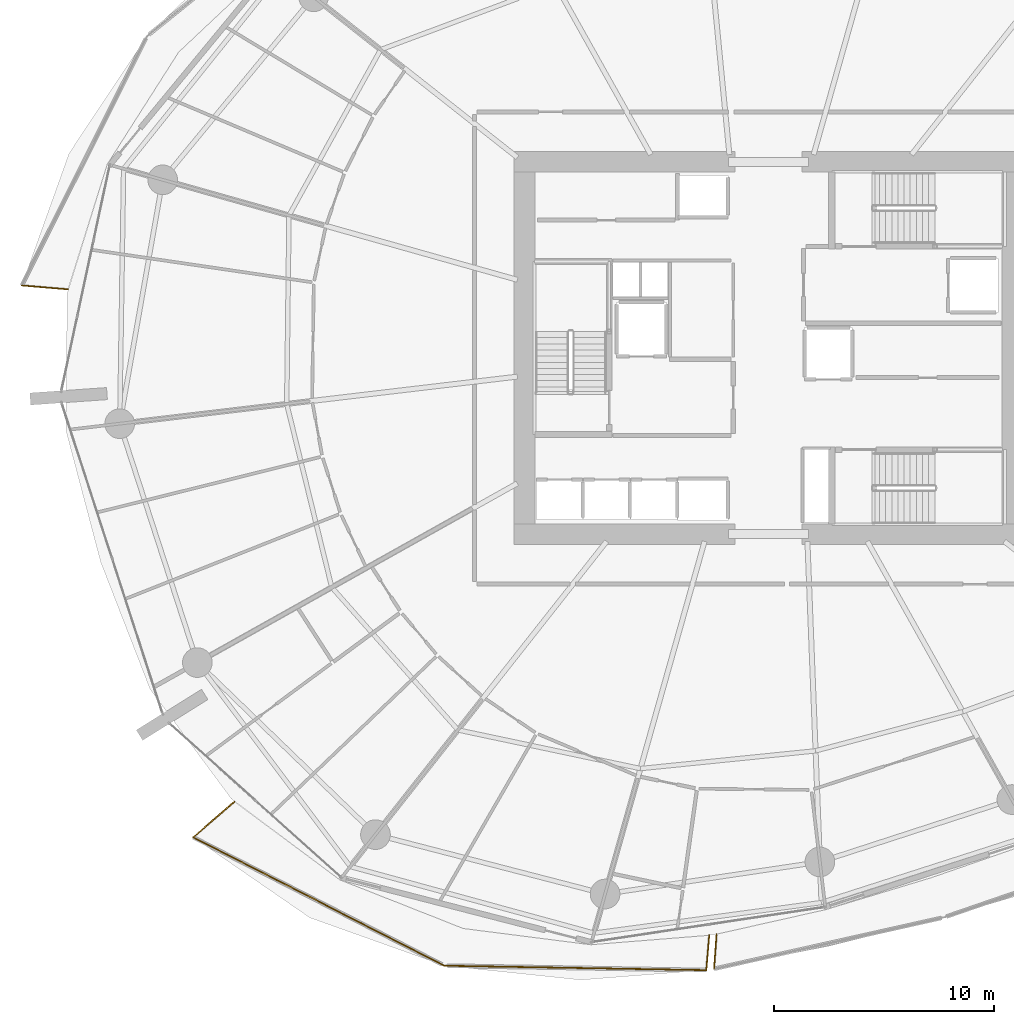
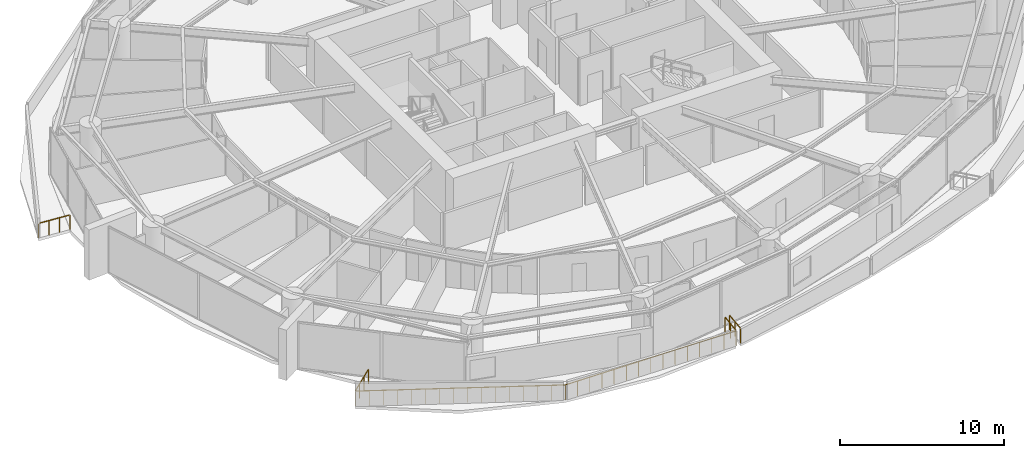
# One storey, part 25 of 31: 6 railings.
"""IFC4 building model written with IfcOpenShell, lengths in metres."""

from ifc_helpers import new_model, si_unit, direction, frame, origin, origin_2d, place, context, subcontext, project, spatial, rectangle, extrude, material, type_object, element, save


model = new_model("IFC4")

# Units and contexts
model_context = context("Model", 3, precision=1e-05, world=origin(), true_north=direction((0.0, 1.0)))
body_context = subcontext(model_context, "Body", "Model", "MODEL_VIEW")
ifc_project = project(units=[si_unit("LENGTHUNIT", "METRE"), si_unit("AREAUNIT", "SQUARE_METRE"), si_unit("VOLUMEUNIT", "CUBIC_METRE"), si_unit("PLANEANGLEUNIT", "RADIAN"), si_unit("MASSUNIT", "GRAM", prefix="KILO")], contexts=[model_context])

# Site, building, storey
site_placement = place(None, origin())
site = spatial("IfcSite", under=ifc_project, at=site_placement, CompositionType="ELEMENT")
building_placement = place(site_placement, origin())
building = spatial("IfcBuilding", under=site, at=building_placement, Name="Kazma Halo Residences", CompositionType="ELEMENT")
storey_placement = place(building_placement, frame((0.0, 0.0, 33.89990234375)))
storey = spatial("IfcBuildingStorey", under=building, at=storey_placement, Name="L07", CompositionType="ELEMENT", Elevation=33.89990234375)

# Railings
ifc_material = material(Name="Aluminium AW-6063 T6 Brushed Cap Rail", Category="aluminium")
railing_type = type_object("IfcRailingType", Name="RLG-BAL-CAP-1120", PredefinedType="BALUSTRADE", material=ifc_material)
railing_1_placement = place(storey_placement, frame((14.444580078125, 44.84716796875, 0.0)))
element("IfcRailing", 1, at=railing_1_placement, inside=storey, type_object=railing_type, Name="L07 NW wave balcony guard 4", PredefinedType="BALUSTRADE", context=body_context, shape_type="SweptSolid", body=[
    extrude(rectangle(XDim=0.050048828125, YDim=0.050048828125, at=origin_2d()), frame((0.04248046875, -0.003662109375, 1.09521484375), z_axis=(0.996424347806, -0.084489757365, 0.0), x_axis=(0.084489757365, 0.996424347806, 0.0)), (0.0, 0.0, 1.0), 2.027099609375),
    extrude(rectangle(XDim=0.0400390625, YDim=0.0400390625, at=origin_2d()), origin(), (0.0, 0.0, 1.0), 1.05810546875),
    extrude(rectangle(XDim=0.0400390625, YDim=0.0400390625, at=origin_2d()), frame((0.70166015625, -0.0595703125, 0.0)), (0.0, 0.0, 1.0), 1.05810546875),
    extrude(rectangle(XDim=0.0400390625, YDim=0.0400390625, at=origin_2d()), frame((1.403076171875, -0.118896484375, 0.0)), (0.0, 0.0, 1.0), 1.05810546875),
    extrude(rectangle(XDim=0.0400390625, YDim=0.0400390625, at=origin_2d()), frame((2.104736328125, -0.178466796875, 0.0)), (0.0, 0.0, 1.0), 1.05810546875),
])
railing_2_placement = place(storey_placement, frame((24.124267578125, 21.354736328125, 0.0)))
element("IfcRailing", 2, at=railing_2_placement, inside=storey, type_object=railing_type, Name="L07 SW wave balcony guard 1", PredefinedType="BALUSTRADE", context=body_context, shape_type="SweptSolid", body=[
    extrude(rectangle(XDim=0.050048828125, YDim=0.050048828125, at=origin_2d()), frame((-0.0322265625, -0.02783203125, 1.09521484375), z_axis=(-0.756389471098, -0.654121523887, 0.0), x_axis=(0.654121523887, -0.756389471098, 0.0)), (0.0, 0.0, 1.0), 2.397705078125),
    extrude(rectangle(XDim=0.0400390625, YDim=0.0400390625, at=origin_2d()), origin(), (0.0, 0.0, 1.0), 1.05810546875),
    extrude(rectangle(XDim=0.0400390625, YDim=0.0400390625, at=origin_2d()), frame((-0.6259765625, -0.541259765625, 0.0)), (0.0, 0.0, 1.0), 1.05810546875),
    extrude(rectangle(XDim=0.0400390625, YDim=0.0400390625, at=origin_2d()), frame((-1.251953125, -1.082763671875, 0.0)), (0.0, 0.0, 1.0), 1.05810546875),
    extrude(rectangle(XDim=0.0400390625, YDim=0.0400390625, at=origin_2d()), frame((-1.8779296875, -1.6240234375, 0.0)), (0.0, 0.0, 1.0), 1.05810546875),
])
railing_3_placement = place(storey_placement, frame((22.246337890625, 19.730712890625, 0.0)))
element("IfcRailing", 3, at=railing_3_placement, inside=storey, type_object=railing_type, Name="L07 SW wave balcony guard 2", PredefinedType="BALUSTRADE", context=body_context, shape_type="SweptSolid", body=[
    extrude(rectangle(XDim=0.050048828125, YDim=0.050048828125, at=origin_2d()), frame((0.037841796875, -0.019287109375, 1.09521484375), z_axis=(0.890397512329, -0.455183776114, 0.0), x_axis=(0.455183776114, 0.890397512329, 0.0)), (0.0, 0.0, 1.0), 12.75146484375),
    extrude(rectangle(XDim=0.0400390625, YDim=0.0400390625, at=origin_2d()), origin(), (0.0, 0.0, 1.0), 1.05810546875),
    extrude(rectangle(XDim=0.0400390625, YDim=0.0400390625, at=origin_2d()), frame((0.761962890625, -0.3896484375, 0.0)), (0.0, 0.0, 1.0), 1.05810546875),
    extrude(rectangle(XDim=0.0400390625, YDim=0.0400390625, at=origin_2d()), frame((1.52392578125, -0.779052734375, 0.0)), (0.0, 0.0, 1.0), 1.05810546875),
    extrude(rectangle(XDim=0.0400390625, YDim=0.0400390625, at=origin_2d()), frame((2.285888671875, -1.168701171875, 0.0)), (0.0, 0.0, 1.0), 1.05810546875),
    extrude(rectangle(XDim=0.0400390625, YDim=0.0400390625, at=origin_2d()), frame((3.0478515625, -1.55810546875, 0.0)), (0.0, 0.0, 1.0), 1.05810546875),
    extrude(rectangle(XDim=0.0400390625, YDim=0.0400390625, at=origin_2d()), frame((3.809814453125, -1.94775390625, 0.0)), (0.0, 0.0, 1.0), 1.05810546875),
    extrude(rectangle(XDim=0.0400390625, YDim=0.0400390625, at=origin_2d()), frame((4.57177734375, -2.337158203125, 0.0)), (0.0, 0.0, 1.0), 1.05810546875),
    extrude(rectangle(XDim=0.0400390625, YDim=0.0400390625, at=origin_2d()), frame((5.333740234375, -2.726806640625, 0.0)), (0.0, 0.0, 1.0), 1.05810546875),
    extrude(rectangle(XDim=0.0400390625, YDim=0.0400390625, at=origin_2d()), frame((6.095947265625, -3.1162109375, 0.0)), (0.0, 0.0, 1.0), 1.05810546875),
    extrude(rectangle(XDim=0.0400390625, YDim=0.0400390625, at=origin_2d()), frame((6.85791015625, -3.505859375, 0.0)), (0.0, 0.0, 1.0), 1.05810546875),
    extrude(rectangle(XDim=0.0400390625, YDim=0.0400390625, at=origin_2d()), frame((7.619873046875, -3.895263671875, 0.0)), (0.0, 0.0, 1.0), 1.05810546875),
    extrude(rectangle(XDim=0.0400390625, YDim=0.0400390625, at=origin_2d()), frame((8.3818359375, -4.284912109375, 0.0)), (0.0, 0.0, 1.0), 1.05810546875),
    extrude(rectangle(XDim=0.0400390625, YDim=0.0400390625, at=origin_2d()), frame((9.143798828125, -4.67431640625, 0.0)), (0.0, 0.0, 1.0), 1.05810546875),
    extrude(rectangle(XDim=0.0400390625, YDim=0.0400390625, at=origin_2d()), frame((9.90576171875, -5.06396484375, 0.0)), (0.0, 0.0, 1.0), 1.05810546875),
    extrude(rectangle(XDim=0.0400390625, YDim=0.0400390625, at=origin_2d()), frame((10.667724609375, -5.453369140625, 0.0)), (0.0, 0.0, 1.0), 1.05810546875),
    extrude(rectangle(XDim=0.0400390625, YDim=0.0400390625, at=origin_2d()), frame((11.4296875, -5.843017578125, 0.0)), (0.0, 0.0, 1.0), 1.05810546875),
])
railing_4_placement = place(storey_placement, frame((33.676025390625, 13.8876953125, 0.0)))
element("IfcRailing", 4, at=railing_4_placement, inside=storey, type_object=railing_type, Name="L07 SW wave balcony guard 3", PredefinedType="BALUSTRADE", context=body_context, shape_type="SweptSolid", body=[
    extrude(rectangle(XDim=0.050048828125, YDim=0.050048828125, at=origin_2d()), frame((0.04248046875, -0.000732421875, 1.09521484375), z_axis=(0.99985591733, -0.016974821943, 0.0), x_axis=(0.016974821943, 0.99985591733, 0.0)), (0.0, 0.0, 1.0), 11.838134765625),
    extrude(rectangle(XDim=0.0400390625, YDim=0.0400390625, at=origin_2d()), origin(), (0.0, 0.0, 1.0), 1.05810546875),
    extrude(rectangle(XDim=0.0400390625, YDim=0.0400390625, at=origin_2d()), frame((0.8515625, -0.014404296875, 0.0)), (0.0, 0.0, 1.0), 1.05810546875),
    extrude(rectangle(XDim=0.0400390625, YDim=0.0400390625, at=origin_2d()), frame((1.703125, -0.02880859375, 0.0)), (0.0, 0.0, 1.0), 1.05810546875),
    extrude(rectangle(XDim=0.0400390625, YDim=0.0400390625, at=origin_2d()), frame((2.5546875, -0.04345703125, 0.0)), (0.0, 0.0, 1.0), 1.05810546875),
    extrude(rectangle(XDim=0.0400390625, YDim=0.0400390625, at=origin_2d()), frame((3.406005859375, -0.057861328125, 0.0)), (0.0, 0.0, 1.0), 1.05810546875),
    extrude(rectangle(XDim=0.0400390625, YDim=0.0400390625, at=origin_2d()), frame((4.257568359375, -0.072265625, 0.0)), (0.0, 0.0, 1.0), 1.05810546875),
    extrude(rectangle(XDim=0.0400390625, YDim=0.0400390625, at=origin_2d()), frame((5.109130859375, -0.086669921875, 0.0)), (0.0, 0.0, 1.0), 1.05810546875),
    extrude(rectangle(XDim=0.0400390625, YDim=0.0400390625, at=origin_2d()), frame((5.960693359375, -0.10107421875, 0.0)), (0.0, 0.0, 1.0), 1.05810546875),
    extrude(rectangle(XDim=0.0400390625, YDim=0.0400390625, at=origin_2d()), frame((6.812255859375, -0.11572265625, 0.0)), (0.0, 0.0, 1.0), 1.05810546875),
    extrude(rectangle(XDim=0.0400390625, YDim=0.0400390625, at=origin_2d()), frame((7.663818359375, -0.130126953125, 0.0)), (0.0, 0.0, 1.0), 1.05810546875),
    extrude(rectangle(XDim=0.0400390625, YDim=0.0400390625, at=origin_2d()), frame((8.515380859375, -0.14453125, 0.0)), (0.0, 0.0, 1.0), 1.05810546875),
    extrude(rectangle(XDim=0.0400390625, YDim=0.0400390625, at=origin_2d()), frame((9.36669921875, -0.158935546875, 0.0)), (0.0, 0.0, 1.0), 1.05810546875),
    extrude(rectangle(XDim=0.0400390625, YDim=0.0400390625, at=origin_2d()), frame((10.21826171875, -0.173583984375, 0.0)), (0.0, 0.0, 1.0), 1.05810546875),
    extrude(rectangle(XDim=0.0400390625, YDim=0.0400390625, at=origin_2d()), frame((11.06982421875, -0.18798828125, 0.0)), (0.0, 0.0, 1.0), 1.05810546875),
    extrude(rectangle(XDim=0.0400390625, YDim=0.0400390625, at=origin_2d()), frame((11.92138671875, -0.202392578125, 0.0)), (0.0, 0.0, 1.0), 1.05810546875),
])
railing_5_placement = place(storey_placement, frame((45.597412109375, 13.685302734375, 0.0)))
element("IfcRailing", 5, at=railing_5_placement, inside=storey, type_object=railing_type, Name="L07 SW wave balcony guard 4", PredefinedType="BALUSTRADE", context=body_context, shape_type="SweptSolid", body=[
    extrude(rectangle(XDim=0.050048828125, YDim=0.050048828125, at=origin_2d()), frame((0.003662109375, 0.04248046875, 1.09521484375), z_axis=(0.084569636757, 0.996417571372, 0.0), x_axis=(-0.996417571372, 0.084569636757, 0.0)), (0.0, 0.0, 1.0), 1.505615234375),
    extrude(rectangle(XDim=0.0400390625, YDim=0.0400390625, at=origin_2d()), origin(), (0.0, 0.0, 1.0), 1.05810546875),
    extrude(rectangle(XDim=0.0400390625, YDim=0.0400390625, at=origin_2d()), frame((0.0673828125, 0.79248046875, 0.0)), (0.0, 0.0, 1.0), 1.05810546875),
    extrude(rectangle(XDim=0.0400390625, YDim=0.0400390625, at=origin_2d()), frame((0.134521484375, 1.5849609375, 0.0)), (0.0, 0.0, 1.0), 1.05810546875),
])
railing_6_placement = place(storey_placement, frame((46.064208984375, 15.320068359375, 0.0)))
element("IfcRailing", 6, at=railing_6_placement, inside=storey, type_object=railing_type, Name="L07 SSE wave balcony guard 1", PredefinedType="BALUSTRADE", context=body_context, shape_type="SweptSolid", body=[
    extrude(rectangle(XDim=0.050048828125, YDim=0.050048828125, at=origin_2d()), frame((-0.003173828125, -0.04248046875, 1.09521484375), z_axis=(-0.072363048519, -0.997378358101, 0.0), x_axis=(0.997378358101, -0.072363048519, 0.0)), (0.0, 0.0, 1.0), 1.500732421875),
    extrude(rectangle(XDim=0.0400390625, YDim=0.0400390625, at=origin_2d()), origin(), (0.0, 0.0, 1.0), 1.05810546875),
    extrude(rectangle(XDim=0.0400390625, YDim=0.0400390625, at=origin_2d()), frame((-0.057373046875, -0.790771484375, 0.0)), (0.0, 0.0, 1.0), 1.05810546875),
    extrude(rectangle(XDim=0.0400390625, YDim=0.0400390625, at=origin_2d()), frame((-0.11474609375, -1.58154296875, 0.0)), (0.0, 0.0, 1.0), 1.05810546875),
])

save(model, "model.ifc")
